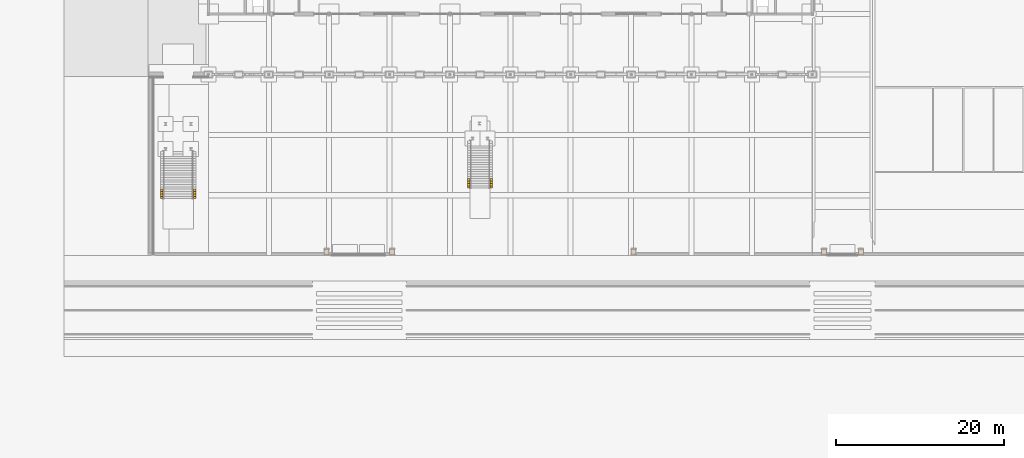
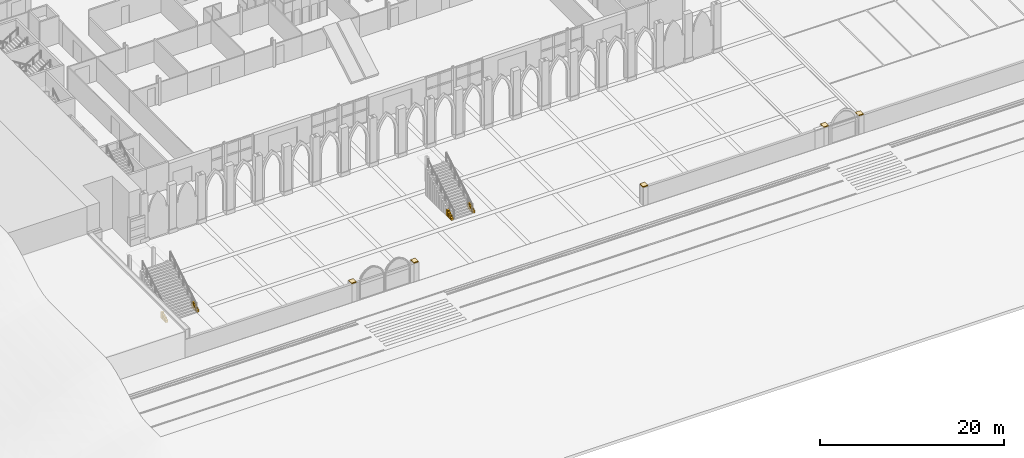
# One storey, part 144 of 148: 21 coverings.
"""IFC4 building model written with IfcOpenShell, lengths in metres."""

from ifc_helpers import new_model, si_unit, direction, frame, origin, place, context, subcontext, project, spatial, polyline, outline, extrude, material, layer, layer_set, type_object, element, save


model = new_model("IFC4")

# Units and contexts
model_context = context("Model", 3, precision=1e-05, world=origin(), true_north=direction((0.0, 1.0)))
body_context = subcontext(model_context, "Body", "Model", "MODEL_VIEW")
ifc_project = project(units=[si_unit("LENGTHUNIT", "METRE"), si_unit("AREAUNIT", "SQUARE_METRE"), si_unit("VOLUMEUNIT", "CUBIC_METRE"), si_unit("PLANEANGLEUNIT", "RADIAN"), si_unit("MASSUNIT", "GRAM", prefix="KILO")], contexts=[model_context])

# Site, building, storey
site_placement = place(None, origin())
site = spatial("IfcSite", under=ifc_project, at=site_placement, CompositionType="ELEMENT")
building_placement = place(site_placement, origin())
building = spatial("IfcBuilding", under=site, at=building_placement, Name="Kupolbacken Congress Centre", CompositionType="ELEMENT")
storey_placement = place(building_placement, origin())
storey = spatial("IfcBuildingStorey", under=building, at=storey_placement, Name="L00", CompositionType="ELEMENT", Elevation=0.0)

# Coverings
ifc_material = material(Name="Limestone cladding", Category="masonry")
ifc_layer = layer(ifc_material, 0.1201171875)
ifc_layer_set = layer_set([ifc_layer], Name="Limestone cladding")
covering_type = type_object("IfcCoveringType", Name="CV1 limestone cladding band 120", PredefinedType="CLADDING", material=ifc_layer_set)
covering_1_placement = place(storey_placement, frame((0.0, 0.0, 2.39990234375)))
element("IfcCovering", 1, at=covering_1_placement, inside=storey, type_object=covering_type, Name="Limestone coping on boundary wall", PredefinedType="CLADDING", context=body_context, shape_type="SweptSolid", body=[
    extrude(outline(polyline([(21.60009765625, 0.794921875), (21.60009765625, 0.094970703125), (21.0, 0.094970703125), (21.0, 0.794921875), (21.60009765625, 0.794921875)])), origin(), (0.0, 0.0, 1.0), 0.1201171875),
])
covering_2_placement = place(storey_placement, frame((0.0, 0.0, 2.39990234375)))
element("IfcCovering", 2, at=covering_2_placement, inside=storey, type_object=covering_type, Name="Limestone coping on boundary wall", PredefinedType="CLADDING", context=body_context, shape_type="SweptSolid", body=[
    extrude(outline(polyline([(28.800048828125, 0.094970703125), (28.800048828125, 0.794921875), (29.39990234375, 0.794921875), (29.39990234375, 0.094970703125), (28.800048828125, 0.094970703125)])), origin(), (0.0, 0.0, 1.0), 0.1201171875),
])
covering_3_placement = place(storey_placement, frame((0.0, 0.0, 2.39990234375)))
element("IfcCovering", 3, at=covering_3_placement, inside=storey, type_object=covering_type, Name="Limestone coping on boundary wall", PredefinedType="CLADDING", context=body_context, shape_type="SweptSolid", body=[
    extrude(outline(polyline([(57.60009765625, 0.094970703125), (57.60009765625, 0.794921875), (58.199951171875, 0.794921875), (58.199951171875, 0.094970703125), (57.60009765625, 0.094970703125)])), origin(), (0.0, 0.0, 1.0), 0.1201171875),
])
covering_4_placement = place(storey_placement, frame((0.0, 0.0, 2.39990234375)))
element("IfcCovering", 4, at=covering_4_placement, inside=storey, type_object=covering_type, Name="Limestone coping on boundary wall", PredefinedType="CLADDING", context=body_context, shape_type="SweptSolid", body=[
    extrude(outline(polyline([(80.89990234375, 0.794921875), (80.89990234375, 0.094970703125), (80.300048828125, 0.094970703125), (80.300048828125, 0.794921875), (80.89990234375, 0.794921875)])), origin(), (0.0, 0.0, 1.0), 0.1201171875),
])
covering_5_placement = place(storey_placement, frame((0.0, 0.0, 2.39990234375)))
element("IfcCovering", 5, at=covering_5_placement, inside=storey, type_object=covering_type, Name="Limestone coping on boundary wall", PredefinedType="CLADDING", context=body_context, shape_type="SweptSolid", body=[
    extrude(outline(polyline([(84.699951171875, 0.094970703125), (84.699951171875, 0.794921875), (85.300048828125, 0.794921875), (85.300048828125, 0.094970703125), (84.699951171875, 0.094970703125)])), origin(), (0.0, 0.0, 1.0), 0.1201171875),
])
covering_6_placement = place(storey_placement, origin())
element("IfcCovering", 6, at=covering_6_placement, inside=storey, type_object=covering_type, Name="Stair cheek wall", PredefinedType="CLADDING", context=body_context, shape_type="SweptSolid", body=[
    extrude(outline(polyline([(5.39990234375, 6.800048828125), (5.39990234375, 7.080078125), (5.699951171875, 7.080078125), (5.699951171875, 6.800048828125), (5.39990234375, 6.800048828125)])), origin(), (0.0, 0.0, 1.0), 0.3212890625),
])
covering_7_placement = place(storey_placement, origin())
element("IfcCovering", 7, at=covering_7_placement, inside=storey, type_object=covering_type, Name="Stair cheek wall", PredefinedType="CLADDING", context=body_context, shape_type="SweptSolid", body=[
    extrude(outline(polyline([(5.39990234375, 7.080078125), (5.39990234375, 7.360107421875), (5.699951171875, 7.360107421875), (5.699951171875, 7.080078125), (5.39990234375, 7.080078125)])), origin(), (0.0, 0.0, 1.0), 0.492919921875),
])
covering_8_placement = place(storey_placement, origin())
element("IfcCovering", 8, at=covering_8_placement, inside=storey, type_object=covering_type, Name="Stair cheek wall", PredefinedType="CLADDING", context=body_context, shape_type="SweptSolid", body=[
    extrude(outline(polyline([(5.39990234375, 7.360107421875), (5.39990234375, 7.639892578125), (5.699951171875, 7.639892578125), (5.699951171875, 7.360107421875), (5.39990234375, 7.360107421875)])), origin(), (0.0, 0.0, 1.0), 0.664306640625),
])
covering_9_placement = place(storey_placement, origin())
element("IfcCovering", 9, at=covering_9_placement, inside=storey, type_object=covering_type, Name="Stair cheek wall", PredefinedType="CLADDING", context=body_context, shape_type="SweptSolid", body=[
    extrude(outline(polyline([(5.39990234375, 7.639892578125), (5.39990234375, 7.919921875), (5.699951171875, 7.919921875), (5.699951171875, 7.639892578125), (5.39990234375, 7.639892578125)])), origin(), (0.0, 0.0, 1.0), 0.835693359375),
])
covering_10_placement = place(storey_placement, origin())
element("IfcCovering", 10, at=covering_10_placement, inside=storey, type_object=covering_type, Name="Stair cheek wall", PredefinedType="CLADDING", context=body_context, shape_type="SweptSolid", body=[
    extrude(outline(polyline([(1.800048828125, 6.800048828125), (1.800048828125, 7.080078125), (1.5, 7.080078125), (1.5, 6.800048828125), (1.800048828125, 6.800048828125)])), origin(), (0.0, 0.0, 1.0), 0.3212890625),
])
covering_11_placement = place(storey_placement, origin())
element("IfcCovering", 11, at=covering_11_placement, inside=storey, type_object=covering_type, Name="Stair cheek wall", PredefinedType="CLADDING", context=body_context, shape_type="SweptSolid", body=[
    extrude(outline(polyline([(1.800048828125, 7.080078125), (1.800048828125, 7.360107421875), (1.5, 7.360107421875), (1.5, 7.080078125), (1.800048828125, 7.080078125)])), origin(), (0.0, 0.0, 1.0), 0.492919921875),
])
covering_12_placement = place(storey_placement, origin())
element("IfcCovering", 12, at=covering_12_placement, inside=storey, type_object=covering_type, Name="Stair cheek wall", PredefinedType="CLADDING", context=body_context, shape_type="SweptSolid", body=[
    extrude(outline(polyline([(1.800048828125, 7.360107421875), (1.800048828125, 7.639892578125), (1.5, 7.639892578125), (1.5, 7.360107421875), (1.800048828125, 7.360107421875)])), origin(), (0.0, 0.0, 1.0), 0.664306640625),
])
covering_13_placement = place(storey_placement, origin())
element("IfcCovering", 13, at=covering_13_placement, inside=storey, type_object=covering_type, Name="Stair cheek wall", PredefinedType="CLADDING", context=body_context, shape_type="SweptSolid", body=[
    extrude(outline(polyline([(1.800048828125, 7.639892578125), (1.800048828125, 7.919921875), (1.5, 7.919921875), (1.5, 7.639892578125), (1.800048828125, 7.639892578125)])), origin(), (0.0, 0.0, 1.0), 0.835693359375),
])
covering_14_placement = place(storey_placement, frame((0.0, 0.0, 0.02001953125)))
element("IfcCovering", 14, at=covering_14_placement, inside=storey, type_object=covering_type, Name="Stair cheek wall", PredefinedType="CLADDING", context=body_context, shape_type="SweptSolid", body=[
    extrude(outline(polyline([(40.800048828125, 8.050048828125), (40.800048828125, 8.330078125), (41.10009765625, 8.330078125), (41.10009765625, 8.050048828125), (40.800048828125, 8.050048828125)])), origin(), (0.0, 0.0, 1.0), 0.30126953125),
])
covering_15_placement = place(storey_placement, frame((0.0, 0.0, 0.02001953125)))
element("IfcCovering", 15, at=covering_15_placement, inside=storey, type_object=covering_type, Name="Stair cheek wall", PredefinedType="CLADDING", context=body_context, shape_type="SweptSolid", body=[
    extrude(outline(polyline([(40.800048828125, 8.330078125), (40.800048828125, 8.610107421875), (41.10009765625, 8.610107421875), (41.10009765625, 8.330078125), (40.800048828125, 8.330078125)])), origin(), (0.0, 0.0, 1.0), 0.472900390625),
])
covering_16_placement = place(storey_placement, frame((0.0, 0.0, 0.02001953125)))
element("IfcCovering", 16, at=covering_16_placement, inside=storey, type_object=covering_type, Name="Stair cheek wall", PredefinedType="CLADDING", context=body_context, shape_type="SweptSolid", body=[
    extrude(outline(polyline([(40.800048828125, 8.610107421875), (40.800048828125, 8.889892578125), (41.10009765625, 8.889892578125), (41.10009765625, 8.610107421875), (40.800048828125, 8.610107421875)])), origin(), (0.0, 0.0, 1.0), 0.644287109375),
])
covering_17_placement = place(storey_placement, frame((0.0, 0.0, 0.02001953125)))
element("IfcCovering", 17, at=covering_17_placement, inside=storey, type_object=covering_type, Name="Stair cheek wall", PredefinedType="CLADDING", context=body_context, shape_type="SweptSolid", body=[
    extrude(outline(polyline([(40.800048828125, 8.889892578125), (40.800048828125, 9.169921875), (41.10009765625, 9.169921875), (41.10009765625, 8.889892578125), (40.800048828125, 8.889892578125)])), origin(), (0.0, 0.0, 1.0), 0.815673828125),
])
covering_18_placement = place(storey_placement, frame((0.0, 0.0, 0.02001953125)))
element("IfcCovering", 18, at=covering_18_placement, inside=storey, type_object=covering_type, Name="Stair cheek wall", PredefinedType="CLADDING", context=body_context, shape_type="SweptSolid", body=[
    extrude(outline(polyline([(38.39990234375, 8.050048828125), (38.39990234375, 8.330078125), (38.10009765625, 8.330078125), (38.10009765625, 8.050048828125), (38.39990234375, 8.050048828125)])), origin(), (0.0, 0.0, 1.0), 0.30126953125),
])
covering_19_placement = place(storey_placement, frame((0.0, 0.0, 0.02001953125)))
element("IfcCovering", 19, at=covering_19_placement, inside=storey, type_object=covering_type, Name="Stair cheek wall", PredefinedType="CLADDING", context=body_context, shape_type="SweptSolid", body=[
    extrude(outline(polyline([(38.39990234375, 8.330078125), (38.39990234375, 8.610107421875), (38.10009765625, 8.610107421875), (38.10009765625, 8.330078125), (38.39990234375, 8.330078125)])), origin(), (0.0, 0.0, 1.0), 0.472900390625),
])
covering_20_placement = place(storey_placement, frame((0.0, 0.0, 0.02001953125)))
element("IfcCovering", 20, at=covering_20_placement, inside=storey, type_object=covering_type, Name="Stair cheek wall", PredefinedType="CLADDING", context=body_context, shape_type="SweptSolid", body=[
    extrude(outline(polyline([(38.39990234375, 8.610107421875), (38.39990234375, 8.889892578125), (38.10009765625, 8.889892578125), (38.10009765625, 8.610107421875), (38.39990234375, 8.610107421875)])), origin(), (0.0, 0.0, 1.0), 0.644287109375),
])
covering_21_placement = place(storey_placement, frame((0.0, 0.0, 0.02001953125)))
element("IfcCovering", 21, at=covering_21_placement, inside=storey, type_object=covering_type, Name="Stair cheek wall", PredefinedType="CLADDING", context=body_context, shape_type="SweptSolid", body=[
    extrude(outline(polyline([(38.39990234375, 8.889892578125), (38.39990234375, 9.169921875), (38.10009765625, 9.169921875), (38.10009765625, 8.889892578125), (38.39990234375, 8.889892578125)])), origin(), (0.0, 0.0, 1.0), 0.815673828125),
])

save(model, "model.ifc")
